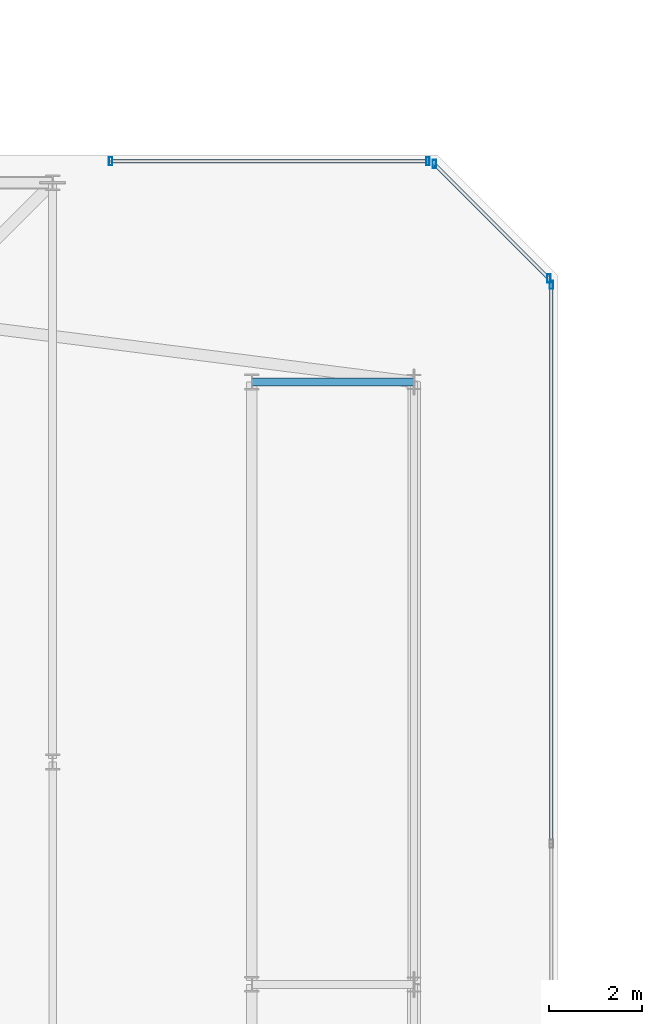
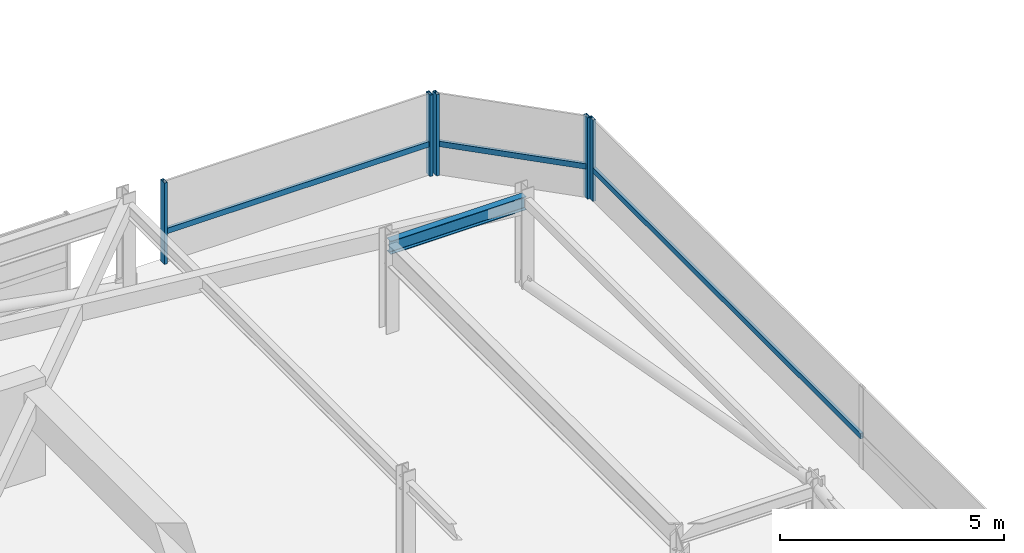
# One storey, part 25 of 42: 8 members, 1 beam, 3 elements without a shape of their own.
"""IFC4 building model written with IfcOpenShell, lengths in metres."""

from ifc_helpers import new_model, si_unit, direction, frame, origin, origin_2d, place, context, subcontext, project, spatial, hollow_rectangle, i_section, extrude, material, material_profile, profile_set, type_object, element, aggregate, save


model = new_model("IFC4")

# Units and contexts
model_context = context("Model", 3, precision=1e-05, world=origin(), true_north=direction((0.0, 1.0)))
body_context = subcontext(model_context, "Body", "Model", "MODEL_VIEW")
ifc_project = project(units=[si_unit("LENGTHUNIT", "METRE"), si_unit("AREAUNIT", "SQUARE_METRE"), si_unit("VOLUMEUNIT", "CUBIC_METRE"), si_unit("PLANEANGLEUNIT", "RADIAN"), si_unit("MASSUNIT", "GRAM", prefix="KILO")], contexts=[model_context])

# Site, building, storey
site_placement = place(None, origin())
site = spatial("IfcSite", under=ifc_project, at=site_placement, CompositionType="ELEMENT")
building_placement = place(site_placement, origin())
building = spatial("IfcBuilding", under=site, at=building_placement, Name="Thornwick Lancets Civic Towers", CompositionType="ELEMENT")
storey_placement = place(building_placement, frame((0.0, 0.0, 289.5)))
storey = spatial("IfcBuildingStorey", under=building, at=storey_placement, Name="C04", CompositionType="ELEMENT", Elevation=289.5)

# Beam
ifc_material_1 = material(Name="Steel S355JR", Category="steel")
ifc_material_profile_1 = material_profile(ifc_material_1, i_section(OverallWidth=0.173095703125, OverallDepth=0.36328125, WebThickness=0.009033203125, FlangeThickness=0.015625, FilletRadius=0.01025390625, at=origin_2d()), Name="UKB 356x171x67")
ifc_profile_set_1 = profile_set([ifc_material_profile_1], Name="Steel S355JR")
beam_type = type_object("IfcBeamType", Name="BM_JOIST_356_67", PredefinedType="JOIST", material=ifc_profile_set_1)
beam_placement = place(storey_placement, frame((42.800048828125, 40.0, 2.25830078125), z_axis=(1.0, 0.0, 0.0), x_axis=(0.0, 1.0, 0.0)))
element("IfcBeam", 1, at=beam_placement, inside=storey, type_object=beam_type, Name="BM-RAD-C04-A06", PredefinedType="JOIST", context=body_context, shape_type="SweptSolid", body=[
    extrude(i_section(OverallWidth=0.173095703125, OverallDepth=0.36328125, WebThickness=0.009033203125, FlangeThickness=0.015625, FilletRadius=0.01025390625, at=origin_2d()), origin(), (0.0, 0.0, 1.0), 3.5),
])

# Curtain wall, member
ifc_material_2 = material(Name="Crown ring acoustic-louvre and glazing screen wall", Category="glass")
curtain_wall_type = type_object("IfcCurtainWallType", Name="CW_SYS_07", PredefinedType="NOTDEFINED", material=ifc_material_2)
curtain_wall_1_placement = place(storey_placement, origin())
curtain_wall_1 = element("IfcCurtainWall", 2, at=curtain_wall_1_placement, inside=storey, type_object=curtain_wall_type, Name="C04 Curtain Wall CW-C04-A-E2", PredefinedType="NOTDEFINED")
ifc_material_3 = material(Name="Thermally broken bronze aluminium S355", Category="steel")
ifc_material_profile_2 = material_profile(ifc_material_3, hollow_rectangle(XDim=0.074951171875, YDim=0.179931640625, WallThickness=0.006103515625, at=origin_2d()), Name="RHS 180x75x6")
ifc_profile_set_2 = profile_set([ifc_material_profile_2], Name="Thermally broken bronze aluminium S355")
member_type_1 = type_object("IfcMemberType", Name="CW_MUL_180", PredefinedType="MULLION", material=ifc_profile_set_2)
member_1_placement = place(storey_placement, frame((49.2646484375, 42.101318359375, 0.0), z_axis=(0.0, 0.0, 1.0), x_axis=(1.0, 0.0, 0.0)))
member_1 = element("IfcMember", 3, at=member_1_placement, type_object=member_type_1, Name="CW-C04-A-E2 Mullion 3", PredefinedType="MULLION", context=body_context, shape_type="SweptSolid", body=[
    extrude(hollow_rectangle(XDim=0.074951171875, YDim=0.179931640625, WallThickness=0.006103515625, at=origin_2d()), origin(), (0.0, 0.0, 1.0), 2.219970703125),
])

# Curtain wall, members
curtain_wall_2_placement = place(storey_placement, origin())
curtain_wall_2 = element("IfcCurtainWall", 4, at=curtain_wall_2_placement, inside=storey, type_object=curtain_wall_type, Name="C04 Curtain Wall CW-C04-A-E3", PredefinedType="NOTDEFINED")
member_2_placement = place(storey_placement, frame((49.2080078125, 42.238037109375, 0.0), z_axis=(0.0, 0.0, 1.0), x_axis=(1.0, 0.0, 0.0)))
member_2 = element("IfcMember", 5, at=member_2_placement, type_object=member_type_1, Name="CW-C04-A-E3 Mullion 0", PredefinedType="MULLION", context=body_context, shape_type="SweptSolid", body=[
    extrude(hollow_rectangle(XDim=0.074951171875, YDim=0.179931640625, WallThickness=0.006103515625, at=origin_2d()), origin(), (0.0, 0.0, 1.0), 2.219970703125),
])
member_3_placement = place(storey_placement, frame((46.738037109375, 44.7080078125, 0.0), z_axis=(0.0, 0.0, 1.0), x_axis=(1.0, 0.0, 0.0)))
member_3 = element("IfcMember", 6, at=member_3_placement, type_object=member_type_1, Name="CW-C04-A-E3 Mullion 1", PredefinedType="MULLION", context=body_context, shape_type="SweptSolid", body=[
    extrude(hollow_rectangle(XDim=0.074951171875, YDim=0.179931640625, WallThickness=0.006103515625, at=origin_2d()), origin(), (0.0, 0.0, 1.0), 2.219970703125),
])

curtain_wall_3_placement = place(storey_placement, origin())
curtain_wall_3 = element("IfcCurtainWall", 7, at=curtain_wall_3_placement, inside=storey, type_object=curtain_wall_type, Name="C04 Curtain Wall CW-C04-A-E4-S1", PredefinedType="NOTDEFINED")
member_4_placement = place(storey_placement, frame((46.601318359375, 44.7646484375, 0.0), z_axis=(0.0, 0.0, 1.0), x_axis=(1.0, 0.0, 0.0)))
member_4 = element("IfcMember", 8, at=member_4_placement, type_object=member_type_1, Name="CW-C04-A-E4-S1 Mullion 0", PredefinedType="MULLION", context=body_context, shape_type="SweptSolid", body=[
    extrude(hollow_rectangle(XDim=0.074951171875, YDim=0.179931640625, WallThickness=0.006103515625, at=origin_2d()), origin(), (0.0, 0.0, 1.0), 2.219970703125),
])
member_5_placement = place(storey_placement, frame((39.75, 44.7646484375, 0.0), z_axis=(0.0, 0.0, 1.0), x_axis=(1.0, 0.0, 0.0)))
member_5 = element("IfcMember", 9, at=member_5_placement, type_object=member_type_1, Name="CW-C04-A-E4-S1 Mullion 1", PredefinedType="MULLION", context=body_context, shape_type="SweptSolid", body=[
    extrude(hollow_rectangle(XDim=0.074951171875, YDim=0.179931640625, WallThickness=0.006103515625, at=origin_2d()), origin(), (0.0, 0.0, 1.0), 2.219970703125),
])

# Member
ifc_material_profile_3 = material_profile(ifc_material_3, hollow_rectangle(XDim=0.074951171875, YDim=0.14990234375, WallThickness=0.0048828125, at=origin_2d()), Name="RHS 150x75x5")
ifc_profile_set_3 = profile_set([ifc_material_profile_3], Name="Thermally broken bronze aluminium S355")
member_type_2 = type_object("IfcMemberType", Name="CW_TRN_150", PredefinedType="USERDEFINED", material=ifc_profile_set_3)
member_6_placement = place(storey_placement, frame((49.2646484375, 30.0537109375, 0.85009765625), z_axis=(0.0, 1.0, 0.0), x_axis=(-1.0, 0.0, 0.0)))
member_6 = element("IfcMember", 10, at=member_6_placement, type_object=member_type_2, Name="CW-C04-A-E2 Transom 2", ObjectType="TRANSOM", PredefinedType="USERDEFINED", context=body_context, shape_type="SweptSolid", body=[
    extrude(hollow_rectangle(XDim=0.074951171875, YDim=0.14990234375, WallThickness=0.0048828125, at=origin_2d()), origin(), (0.0, 0.0, 1.0), 12.027587890625),
])

aggregate(curtain_wall_1, [member_1, member_6])

member_7_placement = place(storey_placement, frame((49.19384765625, 42.252197265625, 0.85009765625), z_axis=(-0.707106781187, 0.707106781187, 0.0), x_axis=(-0.707106781187, -0.707106781187, 0.0)))
member_7 = element("IfcMember", 11, at=member_7_placement, type_object=member_type_2, Name="CW-C04-A-E3 Transom 0", ObjectType="TRANSOM", PredefinedType="USERDEFINED", context=body_context, shape_type="SweptSolid", body=[
    extrude(hollow_rectangle(XDim=0.074951171875, YDim=0.14990234375, WallThickness=0.0048828125, at=origin_2d()), origin(), (0.0, 0.0, 1.0), 3.453125),
])

aggregate(curtain_wall_2, [member_2, member_3, member_7])

member_8_placement = place(storey_placement, frame((46.581298828125, 44.7646484375, 0.85009765625), z_axis=(-1.0, 0.0, 0.0), x_axis=(0.0, -1.0, 0.0)))
member_8 = element("IfcMember", 12, at=member_8_placement, type_object=member_type_2, Name="CW-C04-A-E4-S1 Transom 0", ObjectType="TRANSOM", PredefinedType="USERDEFINED", context=body_context, shape_type="SweptSolid", body=[
    extrude(hollow_rectangle(XDim=0.074951171875, YDim=0.14990234375, WallThickness=0.0048828125, at=origin_2d()), origin(), (0.0, 0.0, 1.0), 6.811279296875),
])

aggregate(curtain_wall_3, [member_4, member_5, member_8])

save(model, "model.ifc")
